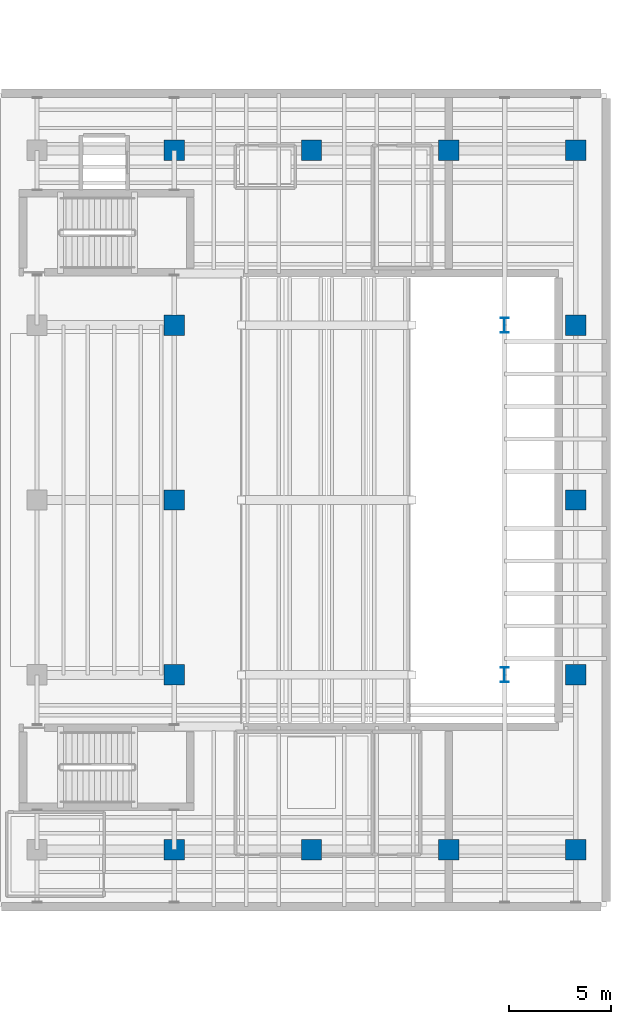
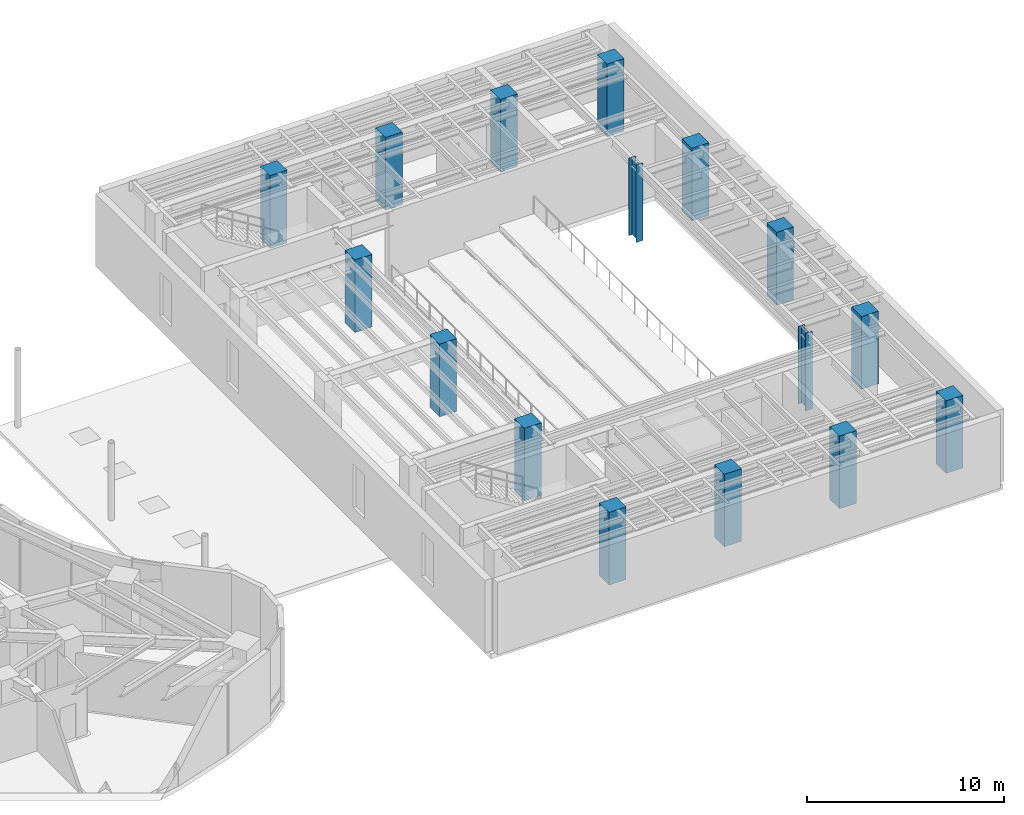
# One storey, part 5 of 24: 16 columns.
"""IFC4 building model written with IfcOpenShell, lengths in metres."""

from ifc_helpers import new_model, si_unit, direction, frame, origin, origin_2d, place, context, subcontext, project, spatial, rectangle, i_section, extrude, material, material_profile, profile_set, type_object, element, save


model = new_model("IFC4")

# Units and contexts
model_context = context("Model", 3, precision=1e-05, world=origin(), true_north=direction((0.0, 1.0)))
body_context = subcontext(model_context, "Body", "Model", "MODEL_VIEW")
ifc_project = project(units=[si_unit("LENGTHUNIT", "METRE"), si_unit("AREAUNIT", "SQUARE_METRE"), si_unit("VOLUMEUNIT", "CUBIC_METRE"), si_unit("PLANEANGLEUNIT", "RADIAN"), si_unit("MASSUNIT", "GRAM", prefix="KILO")], contexts=[model_context])

# Site, building, storey
site_placement = place(None, origin())
site = spatial("IfcSite", under=ifc_project, at=site_placement, CompositionType="ELEMENT")
building_placement = place(site_placement, origin())
building = spatial("IfcBuilding", under=site, at=building_placement, Name="Korentha Bioscience Tower", CompositionType="ELEMENT")
storey_placement = place(building_placement, frame((0.0, 0.0, 10.199951171875)))
storey = spatial("IfcBuildingStorey", under=building, at=storey_placement, Name="L02", CompositionType="ELEMENT", Elevation=10.199951171875)

# Columns
ifc_material_1 = material(Name="Steel S355", Category="steel")
ifc_material_profile_1 = material_profile(ifc_material_1, i_section(OverallWidth=0.39990234375, OverallDepth=0.75, WebThickness=0.01611328125, FlangeThickness=0.028076171875, at=origin_2d()), Name="Steel S355")
ifc_profile_set_1 = profile_set([ifc_material_profile_1], Name="Steel S355 (TC-02)")
column_type_1 = type_object("IfcColumnType", Name="Theatre Fly-Tower Column CVS 750x256", PredefinedType="COLUMN", material=ifc_profile_set_1)
for number, where, z_axis, x_axis, name in (
    (1, (89.5, 18.39990234375, -0.300048828125), (0.0, 0.0, 1.0), (1.0, 0.0, 0.0), "L02 Fly-Tower Steel Column S"),
    (2, (89.5, 35.60009765625, -0.300048828125), (0.0, 0.0, 1.0), (1.0, 0.0, 0.0), "L02 Fly-Tower Steel Column N"),
):
    element("IfcColumn", number, at=place(storey_placement, frame(where, z_axis=z_axis, x_axis=x_axis)), inside=storey, type_object=column_type_1, Name=name, PredefinedType="COLUMN", context=body_context, shape_type="SweptSolid", body=[
        extrude(i_section(OverallWidth=0.39990234375, OverallDepth=0.75, WebThickness=0.01611328125, FlangeThickness=0.028076171875, at=origin_2d()), origin(), (0.0, 0.0, 1.0), 4.800048828125),
    ])
ifc_material_2 = material(Name="Concrete C50", Category="concrete")
ifc_material_profile_2 = material_profile(ifc_material_2, rectangle(XDim=1.0, YDim=1.0, at=origin_2d()), Name="Concrete C50")
ifc_profile_set_2 = profile_set([ifc_material_profile_2], Name="Concrete C50 (TC-I01)")
column_type_2 = type_object("IfcColumnType", Name="Theatre Interior Column RC 1000x1000", PredefinedType="COLUMN", material=ifc_profile_set_2)
for number, where, z_axis, x_axis, name in (
    (3, (73.25, 18.39990234375, 0.0), (0.0, 0.0, 1.0), (1.0, 0.0, 0.0), "L02 Theatre Column 2-2"),
    (4, (73.25, 27.0, 0.0), (0.0, 0.0, 1.0), (1.0, 0.0, 0.0), "L02 Theatre Column 2-3"),
    (5, (73.25, 35.60009765625, 0.0), (0.0, 0.0, 1.0), (1.0, 0.0, 0.0), "L02 Theatre Column 2-4"),
):
    element("IfcColumn", number, at=place(storey_placement, frame(where, z_axis=z_axis, x_axis=x_axis)), inside=storey, type_object=column_type_2, Name=name, PredefinedType="COLUMN", context=body_context, shape_type="SweptSolid", body=[
        extrude(rectangle(XDim=1.0, YDim=1.0, at=origin_2d()), origin(), (0.0, 0.0, 1.0), 4.5),
    ])
ifc_material_profile_3 = material_profile(ifc_material_2, rectangle(XDim=1.0, YDim=1.0, at=origin_2d()), Name="Concrete C50")
ifc_profile_set_3 = profile_set([ifc_material_profile_3], Name="Concrete C50 (TC-01)")
column_type_3 = type_object("IfcColumnType", Name="Theatre Primary Column RC 1000x1000", PredefinedType="COLUMN", material=ifc_profile_set_3)
for number, where, z_axis, x_axis, name in (
    (6, (73.25, 9.800048828125, 0.0), (0.0, 0.0, 1.0), (1.0, 0.0, 0.0), "L02 Theatre Column 2-1"),
    (7, (73.25, 44.199951171875, 0.0), (0.0, 0.0, 1.0), (1.0, 0.0, 0.0), "L02 Theatre Column 2-5"),
    (8, (80.0, 9.800048828125, 0.0), (0.0, 0.0, 1.0), (1.0, 0.0, 0.0), "L02 Theatre Column 3-1"),
    (9, (80.0, 44.199951171875, 0.0), (0.0, 0.0, 1.0), (1.0, 0.0, 0.0), "L02 Theatre Column 3-5"),
    (10, (86.75, 9.800048828125, 0.0), (0.0, 0.0, 1.0), (1.0, 0.0, 0.0), "L02 Theatre Column 4-1"),
    (11, (86.75, 44.199951171875, 0.0), (0.0, 0.0, 1.0), (1.0, 0.0, 0.0), "L02 Theatre Column 4-5"),
    (12, (93.0, 9.800048828125, 0.0), (0.0, 0.0, 1.0), (1.0, 0.0, 0.0), "L02 Theatre Column 5-1"),
    (13, (93.0, 18.39990234375, 0.0), (0.0, 0.0, 1.0), (1.0, 0.0, 0.0), "L02 Theatre Column 5-2"),
    (14, (93.0, 27.0, 0.0), (0.0, 0.0, 1.0), (1.0, 0.0, 0.0), "L02 Theatre Column 5-3"),
    (15, (93.0, 35.60009765625, 0.0), (0.0, 0.0, 1.0), (1.0, 0.0, 0.0), "L02 Theatre Column 5-4"),
    (16, (93.0, 44.199951171875, 0.0), (0.0, 0.0, 1.0), (1.0, 0.0, 0.0), "L02 Theatre Column 5-5"),
):
    element("IfcColumn", number, at=place(storey_placement, frame(where, z_axis=z_axis, x_axis=x_axis)), inside=storey, type_object=column_type_3, Name=name, PredefinedType="COLUMN", context=body_context, shape_type="SweptSolid", body=[
        extrude(rectangle(XDim=1.0, YDim=1.0, at=origin_2d()), origin(), (0.0, 0.0, 1.0), 4.5),
    ])

save(model, "model.ifc")
